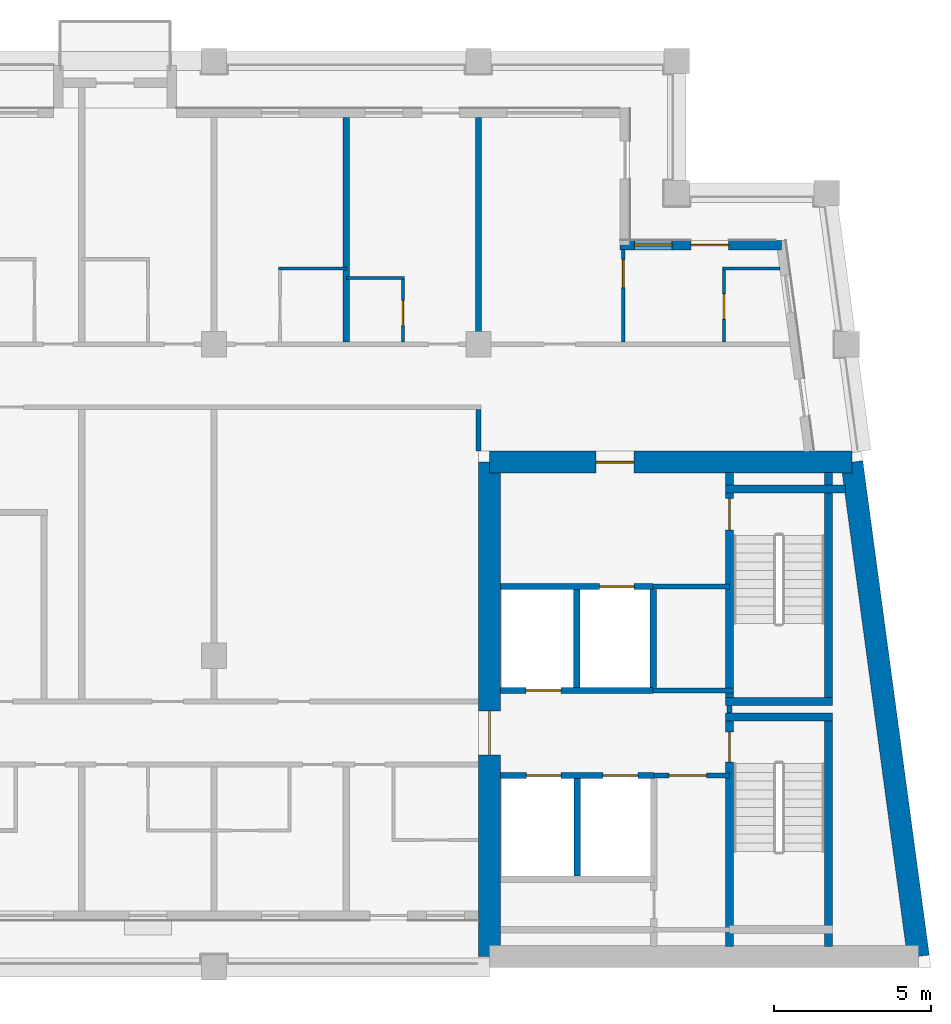
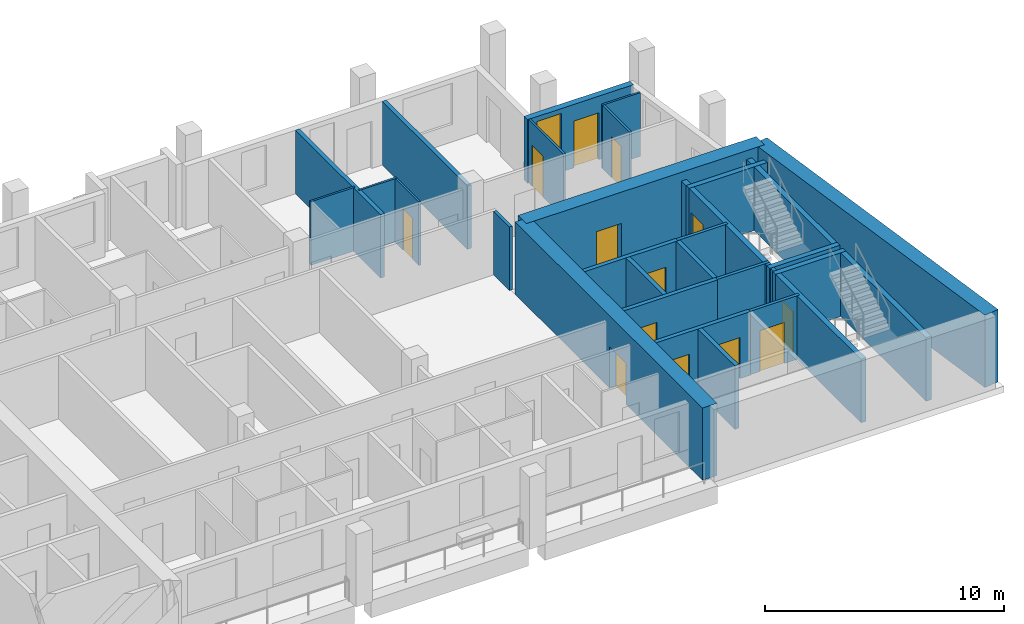
# One storey, part 5 of 10: 30 walls, 13 doors, 1 window, 14 openings.
"""IFC4 building model written with IfcOpenShell, lengths in metres."""

from ifc_helpers import new_model, si_unit, direction, frame, frame_2d, origin, place, context, subcontext, project, spatial, rectangle, extrude, material, layer, layer_set, type_object, element, fill, save


model = new_model("IFC4")

# Units and contexts
model_context = context("Model", 3, precision=1e-05, world=origin(), true_north=direction((0.0, 1.0)))
body_context = subcontext(model_context, "Body", "Model", "MODEL_VIEW")
ifc_project = project(units=[si_unit("LENGTHUNIT", "METRE"), si_unit("AREAUNIT", "SQUARE_METRE"), si_unit("VOLUMEUNIT", "CUBIC_METRE"), si_unit("PLANEANGLEUNIT", "RADIAN"), si_unit("MASSUNIT", "GRAM", prefix="KILO")], contexts=[model_context])

# Site, building, storey
site_placement = place(None, origin())
site = spatial("IfcSite", under=ifc_project, at=site_placement, CompositionType="ELEMENT")
building_placement = place(site_placement, origin())
building = spatial("IfcBuilding", under=site, at=building_placement, Name="Candeia Pilgrim Tower and Theatre", CompositionType="ELEMENT")
storey_placement = place(building_placement, frame((0.0, 0.0, 299.699951171875)))
storey = spatial("IfcBuildingStorey", under=building, at=storey_placement, Name="L73", CompositionType="ELEMENT", Elevation=299.699951171875)

# Wall, opening, door
ifc_material_1 = material(Name="Concrete C40/50", Category="concrete")
ifc_layer_1 = layer(ifc_material_1, 0.699951171875)
ifc_layer_set_1 = layer_set([ifc_layer_1], Name="Core wall 700 C40/50")
wall_type_1 = type_object("IfcWallType", Name="Core wall 700 C40/50", PredefinedType="SHEAR", material=ifc_layer_set_1)
wall_1_placement = place(storey_placement, frame((126.35009765625, 132.050048828125, 0.0), z_axis=(0.0, 0.0, 1.0), x_axis=(1.0, 0.0, 0.0)))
wall_1 = element("IfcWall", 1, at=wall_1_placement, inside=storey, type_object=wall_type_1, Name="Core wall E1", PredefinedType="SHEAR", context=body_context, shape_type="SweptSolid", body=[
    extrude(rectangle(XDim=11.51318359375, YDim=0.699951171875, at=frame_2d((5.756591796875, 0.0))), origin(), (0.0, 0.0, 1.0), 3.699951171875),
])
opening_1_placement = place(wall_1_placement, frame((3.386474609375, 0.0, 0.0)))
opening_1 = element("IfcOpeningElement", 2, at=opening_1_placement, cuts=wall_1, Name="Opening L73-D046", PredefinedType="OPENING", context=body_context, shape_type="SweptSolid", body=[
    extrude(rectangle(XDim=1.199951171875, YDim=2.10009765625, at=frame_2d((0.60009765625, 1.050048828125))), frame((0.0, 0.35986328125, 0.0), z_axis=(0.0, -1.0, 0.0), x_axis=(1.0, 0.0, 0.0)), (0.0, 0.0, 1.0), 0.719970703125),
])
ifc_material_2 = material(Name="Steel fire door set", Category="steel")
door_type_1 = type_object("IfcDoorType", Name="D-1200-FD60", OperationType="NOTDEFINED", PredefinedType="DOOR", material=ifc_material_2)
door_1_placement = place(opening_1_placement, origin())
door_1 = element("IfcDoor", 3, at=door_1_placement, inside=storey, type_object=door_type_1, Name="Door L73-D046", OperationType="SINGLE_SWING_LEFT", OverallHeight=2.10009765625, OverallWidth=1.199951171875, PredefinedType="DOOR", context=body_context, shape_type="SweptSolid", body=[
    extrude(rectangle(XDim=1.199951171875, YDim=2.10009765625, at=frame_2d((0.60009765625, 1.050048828125))), frame((0.0, 0.02490234375, 0.0), z_axis=(0.0, -1.0, 0.0), x_axis=(1.0, 0.0, 0.0)), (0.0, 0.0, 1.0), 0.050048828125),
])
fill(opening_1, door_1)

# Wall
wall_2_placement = place(storey_placement, frame((137.86328125, 132.050048828125, 0.0), z_axis=(0.0, 0.0, 1.0), x_axis=(0.133401241494, -0.991062111458, 0.0)))
element("IfcWall", 4, at=wall_2_placement, inside=storey, type_object=wall_type_1, Name="Core wall E2", PredefinedType="SHEAR", context=body_context, shape_type="SweptSolid", body=[
    extrude(rectangle(XDim=15.841552734375, YDim=0.699951171875, at=frame_2d((7.9208984375, 0.0))), origin(), (0.0, 0.0, 1.0), 3.699951171875),
])

# Wall, opening, door
wall_3_placement = place(storey_placement, frame((126.35009765625, 116.35009765625, 0.0), z_axis=(0.0, 0.0, 1.0), x_axis=(0.0, 1.0, 0.0)))
wall_3 = element("IfcWall", 5, at=wall_3_placement, inside=storey, type_object=wall_type_1, Name="Core wall E4", PredefinedType="SHEAR", context=body_context, shape_type="SweptSolid", body=[
    extrude(rectangle(XDim=15.699951171875, YDim=0.699951171875, at=frame_2d((7.85009765625, 0.0))), origin(), (0.0, 0.0, 1.0), 3.699951171875),
])
opening_2_placement = place(wall_3_placement, frame((6.39990234375, 0.0, 0.0)))
opening_2 = element("IfcOpeningElement", 6, at=opening_2_placement, cuts=wall_3, Name="Opening L73-D047", PredefinedType="OPENING", context=body_context, shape_type="SweptSolid", body=[
    extrude(rectangle(XDim=1.39990234375, YDim=2.10009765625, at=frame_2d((0.699951171875, 1.050048828125))), frame((0.0, 0.35986328125, 0.0), z_axis=(0.0, -1.0, 0.0), x_axis=(1.0, 0.0, 0.0)), (0.0, 0.0, 1.0), 0.719970703125),
])
door_type_2 = type_object("IfcDoorType", Name="D-1400-FD60", OperationType="NOTDEFINED", PredefinedType="DOOR", material=ifc_material_2)
door_2_placement = place(opening_2_placement, origin())
door_2 = element("IfcDoor", 7, at=door_2_placement, inside=storey, type_object=door_type_2, Name="Door L73-D047", OperationType="SINGLE_SWING_RIGHT", OverallHeight=2.10009765625, OverallWidth=1.39990234375, PredefinedType="DOOR", context=body_context, shape_type="SweptSolid", body=[
    extrude(rectangle(XDim=1.39990234375, YDim=2.10009765625, at=frame_2d((0.699951171875, 1.050048828125))), frame((0.0, 0.02490234375, 0.0), z_axis=(0.0, -1.0, 0.0), x_axis=(1.0, 0.0, 0.0)), (0.0, 0.0, 1.0), 0.050048828125),
])
fill(opening_2, door_2)

# Wall, openings, door, window
ifc_material_3 = material(Name="Ceramic block masonry", Category="masonry")
ifc_layer_2 = layer(ifc_material_3, 0.300048828125)
ifc_layer_set_2 = layer_set([ifc_layer_2], Name="EW1 glazing-line wall 300")
wall_type_2 = type_object("IfcWallType", Name="EW1 glazing-line wall 300", PredefinedType="SOLIDWALL", material=ifc_layer_set_2)
wall_4_placement = place(storey_placement, frame((135.62255859375, 138.949951171875, 0.0), z_axis=(0.0, 0.0, 1.0), x_axis=(-1.0, 0.0, 0.0)))
wall_4 = element("IfcWall", 8, at=wall_4_placement, inside=storey, type_object=wall_type_2, Name="External wall L73-3.0", PredefinedType="SOLIDWALL", context=body_context, shape_type="SweptSolid", body=[
    extrude(rectangle(XDim=5.12255859375, YDim=0.300048828125, at=frame_2d((2.561279296875, 0.0))), origin(), (0.0, 0.0, 1.0), 3.25),
])
opening_3_placement = place(wall_4_placement, frame((1.672607421875, 0.0, 0.0)))
opening_3 = element("IfcOpeningElement", 9, at=opening_3_placement, cuts=wall_4, Name="Opening L73-ED678", PredefinedType="OPENING", context=body_context, shape_type="SweptSolid", body=[
    extrude(rectangle(XDim=1.199951171875, YDim=2.39990234375, at=frame_2d((0.60009765625, 1.199951171875))), frame((0.0, 0.16015625, 0.0), z_axis=(0.0, -1.0, 0.0), x_axis=(1.0, 0.0, 0.0)), (0.0, 0.0, 1.0), 0.320068359375),
])
opening_4_placement = place(wall_4_placement, frame((3.47265625, 0.0, 0.89990234375)))
opening_4 = element("IfcOpeningElement", 10, at=opening_4_placement, cuts=wall_4, Name="Opening W-B", PredefinedType="OPENING", context=body_context, shape_type="SweptSolid", body=[
    extrude(rectangle(XDim=1.199951171875, YDim=2.10009765625, at=frame_2d((0.60009765625, 1.050048828125))), frame((0.0, 0.16015625, 0.0), z_axis=(0.0, -1.0, 0.0), x_axis=(1.0, 0.0, 0.0)), (0.0, 0.0, 1.0), 0.320068359375),
])
ifc_material_4 = material(Name="Aluminium framed glazed door", Category="aluminium")
door_type_3 = type_object("IfcDoorType", Name="Loggia door 1200x2400", OperationType="DOUBLE_DOOR_SINGLE_SWING", PredefinedType="DOOR", material=ifc_material_4)
door_3_placement = place(opening_3_placement, origin())
door_3 = element("IfcDoor", 11, at=door_3_placement, inside=storey, type_object=door_type_3, Name="Loggia door L73-ED678", OperationType="DOUBLE_DOOR_SINGLE_SWING", OverallHeight=2.39990234375, OverallWidth=1.199951171875, PredefinedType="DOOR", context=body_context, shape_type="SweptSolid", body=[
    extrude(rectangle(XDim=1.199951171875, YDim=2.39990234375, at=frame_2d((0.60009765625, 1.199951171875))), frame((0.0, 0.02490234375, 0.0), z_axis=(0.0, -1.0, 0.0), x_axis=(1.0, 0.0, 0.0)), (0.0, 0.0, 1.0), 0.050048828125),
])
fill(opening_3, door_3)
ifc_material_5 = material(Name="Aluminium framed double glazing", Category="aluminium")
window_type = type_object("IfcWindowType", Name="W-B window 1200x2100", PartitioningType="SINGLE_PANEL", PredefinedType="WINDOW", material=ifc_material_5)
window_placement = place(opening_4_placement, origin())
window = element("IfcWindow", 12, at=window_placement, inside=storey, type_object=window_type, Name="Window W-B L73", OverallHeight=2.10009765625, OverallWidth=1.199951171875, PartitioningType="SINGLE_PANEL", PredefinedType="WINDOW", context=body_context, shape_type="SweptSolid", body=[
    extrude(rectangle(XDim=1.199951171875, YDim=2.10009765625, at=frame_2d((0.60009765625, 1.050048828125))), frame((0.0, 0.030029296875, 0.0), z_axis=(0.0, -1.0, 0.0), x_axis=(1.0, 0.0, 0.0)), (0.0, 0.0, 1.0), 0.06005859375),
])
fill(opening_4, window)

# Walls
ifc_material_6 = material(Name="Gypsum board partition on steel studs", Category="steel")
ifc_layer_3 = layer(ifc_material_6, 0.10009765625)
ifc_layer_set_3 = layer_set([ifc_layer_3], Name="PW-100 room partition")
wall_type_3 = type_object("IfcWallType", Name="PW-100 room partition", PredefinedType="PARTITIONING", material=ifc_layer_set_3)
wall_5_placement = place(storey_placement, frame((121.800048828125, 137.89990234375, 0.0), z_axis=(0.0, 0.0, 1.0), x_axis=(1.0, 0.0, 0.0)))
element("IfcWall", 13, at=wall_5_placement, inside=storey, type_object=wall_type_3, Name="Room partition L73-033", PredefinedType="PARTITIONING", context=body_context, shape_type="SweptSolid", body=[
    extrude(rectangle(XDim=1.849853515625, YDim=0.10009765625, at=frame_2d((0.9248046875, 0.0))), origin(), (0.0, 0.0, 1.0), 3.25),
])
wall_6_placement = place(storey_placement, frame((119.64990234375, 138.199951171875, 0.0), z_axis=(0.0, 0.0, 1.0), x_axis=(1.0, 0.0, 0.0)))
element("IfcWall", 14, at=wall_6_placement, inside=storey, type_object=wall_type_3, Name="Room partition L73-036", PredefinedType="PARTITIONING", context=body_context, shape_type="SweptSolid", body=[
    extrude(rectangle(XDim=2.150146484375, YDim=0.10009765625, at=frame_2d((1.0751953125, 0.0))), origin(), (0.0, 0.0, 1.0), 3.25),
])
wall_7_placement = place(storey_placement, frame((133.75, 138.199951171875, 0.0), z_axis=(0.0, 0.0, 1.0), x_axis=(1.0, 0.0, 0.0)))
element("IfcWall", 15, at=wall_7_placement, inside=storey, type_object=wall_type_3, Name="Room partition L73-037", PredefinedType="PARTITIONING", context=body_context, shape_type="SweptSolid", body=[
    extrude(rectangle(XDim=1.832275390625, YDim=0.10009765625, at=frame_2d((0.916015625, 0.0))), origin(), (0.0, 0.0, 1.0), 3.25),
])

# Wall, opening, door
wall_8_placement = place(storey_placement, frame((123.60009765625, 135.875, 0.0), z_axis=(0.0, 0.0, 1.0), x_axis=(0.0, 1.0, 0.0)))
wall_8 = element("IfcWall", 16, at=wall_8_placement, inside=storey, type_object=wall_type_3, Name="Room partition L73-078", PredefinedType="PARTITIONING", context=body_context, shape_type="SweptSolid", body=[
    extrude(rectangle(XDim=1.97509765625, YDim=0.10009765625, at=frame_2d((0.987548828125, 0.0))), origin(), (0.0, 0.0, 1.0), 3.25),
])
opening_5_placement = place(wall_8_placement, frame((0.514892578125, 0.0, 0.0)))
opening_5 = element("IfcOpeningElement", 17, at=opening_5_placement, cuts=wall_8, Name="Opening L73-D034", PredefinedType="OPENING", context=body_context, shape_type="SweptSolid", body=[
    extrude(rectangle(XDim=0.800048828125, YDim=2.10009765625, at=frame_2d((0.39990234375, 1.050048828125))), frame((0.0, 0.06005859375, 0.0), z_axis=(0.0, -1.0, 0.0), x_axis=(1.0, 0.0, 0.0)), (0.0, 0.0, 1.0), 0.1201171875),
])
ifc_material_7 = material(Name="Timber door leaf", Category="wood")
door_type_4 = type_object("IfcDoorType", Name="D-800", OperationType="NOTDEFINED", PredefinedType="DOOR", material=ifc_material_7)
door_4_placement = place(opening_5_placement, origin())
door_4 = element("IfcDoor", 18, at=door_4_placement, inside=storey, type_object=door_type_4, Name="Door L73-D034", OperationType="SINGLE_SWING_LEFT", OverallHeight=2.10009765625, OverallWidth=0.800048828125, PredefinedType="DOOR", context=body_context, shape_type="SweptSolid", body=[
    extrude(rectangle(XDim=0.800048828125, YDim=2.10009765625, at=frame_2d((0.39990234375, 1.050048828125))), frame((0.0, 0.02490234375, 0.0), z_axis=(0.0, -1.0, 0.0), x_axis=(1.0, 0.0, 0.0)), (0.0, 0.0, 1.0), 0.050048828125),
])
fill(opening_5, door_4)

wall_9_placement = place(storey_placement, frame((130.60009765625, 135.875, 0.0), z_axis=(0.0, 0.0, 1.0), x_axis=(0.0, 1.0, 0.0)))
wall_9 = element("IfcWall", 19, at=wall_9_placement, inside=storey, type_object=wall_type_3, Name="Room partition L73-083", PredefinedType="PARTITIONING", context=body_context, shape_type="SweptSolid", body=[
    extrude(rectangle(XDim=2.93505859375, YDim=0.10009765625, at=frame_2d((1.467529296875, 0.0))), origin(), (0.0, 0.0, 1.0), 3.25),
])
opening_6_placement = place(wall_9_placement, frame((1.719970703125, 0.0, 0.0)))
opening_6 = element("IfcOpeningElement", 20, at=opening_6_placement, cuts=wall_9, Name="Opening L73-D036", PredefinedType="OPENING", context=body_context, shape_type="SweptSolid", body=[
    extrude(rectangle(XDim=0.89990234375, YDim=2.10009765625, at=frame_2d((0.449951171875, 1.050048828125))), frame((0.0, 0.06005859375, 0.0), z_axis=(0.0, -1.0, 0.0), x_axis=(1.0, 0.0, 0.0)), (0.0, 0.0, 1.0), 0.1201171875),
])
door_type_5 = type_object("IfcDoorType", Name="D-900", OperationType="NOTDEFINED", PredefinedType="DOOR", material=ifc_material_7)
door_5_placement = place(opening_6_placement, origin())
door_5 = element("IfcDoor", 21, at=door_5_placement, inside=storey, type_object=door_type_5, Name="Door L73-D036", OperationType="SINGLE_SWING_LEFT", OverallHeight=2.10009765625, OverallWidth=0.89990234375, PredefinedType="DOOR", context=body_context, shape_type="SweptSolid", body=[
    extrude(rectangle(XDim=0.89990234375, YDim=2.10009765625, at=frame_2d((0.449951171875, 1.050048828125))), frame((0.0, 0.02490234375, 0.0), z_axis=(0.0, -1.0, 0.0), x_axis=(1.0, 0.0, 0.0)), (0.0, 0.0, 1.0), 0.050048828125),
])
fill(opening_6, door_5)

wall_10_placement = place(storey_placement, frame((133.800048828125, 135.875, 0.0), z_axis=(0.0, 0.0, 1.0), x_axis=(0.0, 1.0, 0.0)))
wall_10 = element("IfcWall", 22, at=wall_10_placement, inside=storey, type_object=wall_type_3, Name="Room partition L73-086", PredefinedType="PARTITIONING", context=body_context, shape_type="SweptSolid", body=[
    extrude(rectangle(XDim=2.27490234375, YDim=0.10009765625, at=frame_2d((1.137451171875, 0.0))), origin(), (0.0, 0.0, 1.0), 3.25),
])
opening_7_placement = place(wall_10_placement, frame((0.72509765625, 0.0, 0.0)))
opening_7 = element("IfcOpeningElement", 23, at=opening_7_placement, cuts=wall_10, Name="Opening L73-D037", PredefinedType="OPENING", context=body_context, shape_type="SweptSolid", body=[
    extrude(rectangle(XDim=0.800048828125, YDim=2.10009765625, at=frame_2d((0.39990234375, 1.050048828125))), frame((0.0, 0.06005859375, 0.0), z_axis=(0.0, -1.0, 0.0), x_axis=(1.0, 0.0, 0.0)), (0.0, 0.0, 1.0), 0.1201171875),
])
door_6_placement = place(opening_7_placement, origin())
door_6 = element("IfcDoor", 24, at=door_6_placement, inside=storey, type_object=door_type_4, Name="Door L73-D037", OperationType="SINGLE_SWING_RIGHT", OverallHeight=2.10009765625, OverallWidth=0.800048828125, PredefinedType="DOOR", context=body_context, shape_type="SweptSolid", body=[
    extrude(rectangle(XDim=0.800048828125, YDim=2.10009765625, at=frame_2d((0.39990234375, 1.050048828125))), frame((0.0, 0.02490234375, 0.0), z_axis=(0.0, -1.0, 0.0), x_axis=(1.0, 0.0, 0.0)), (0.0, 0.0, 1.0), 0.050048828125),
])
fill(opening_7, door_6)

ifc_layer_4 = layer(ifc_material_6, 0.14990234375)
ifc_layer_set_4 = layer_set([ifc_layer_4], Name="PW-150 lobby wall")
wall_type_4 = type_object("IfcWallType", Name="PW-150 lobby wall", PredefinedType="PARTITIONING", material=ifc_layer_set_4)
wall_11_placement = place(storey_placement, frame((131.572998046875, 122.10009765625, 0.0), z_axis=(0.0, 0.0, 1.0), x_axis=(1.0, 0.0, 0.0)))
wall_11 = element("IfcWall", 25, at=wall_11_placement, inside=storey, type_object=wall_type_4, Name="Lobby wall L73-015", PredefinedType="PARTITIONING", context=body_context, shape_type="SweptSolid", body=[
    extrude(rectangle(XDim=2.39990234375, YDim=0.14990234375, at=frame_2d((1.199951171875, 0.0))), origin(), (0.0, 0.0, 1.0), 3.25),
])
opening_8_placement = place(wall_11_placement, frame((0.47509765625, 0.0, 0.0)))
opening_8 = element("IfcOpeningElement", 26, at=opening_8_placement, cuts=wall_11, Name="Opening L73-D005", PredefinedType="OPENING", context=body_context, shape_type="SweptSolid", body=[
    extrude(rectangle(XDim=1.199951171875, YDim=2.10009765625, at=frame_2d((0.60009765625, 1.050048828125))), frame((0.0, 0.0849609375, 0.0), z_axis=(0.0, -1.0, 0.0), x_axis=(1.0, 0.0, 0.0)), (0.0, 0.0, 1.0), 0.169921875),
])
door_7_placement = place(opening_8_placement, origin())
door_7 = element("IfcDoor", 27, at=door_7_placement, inside=storey, type_object=door_type_1, Name="Door L73-D005", OperationType="SINGLE_SWING_RIGHT", OverallHeight=2.10009765625, OverallWidth=1.199951171875, PredefinedType="DOOR", context=body_context, shape_type="SweptSolid", body=[
    extrude(rectangle(XDim=1.199951171875, YDim=2.10009765625, at=frame_2d((0.60009765625, 1.050048828125))), frame((0.0, 0.02490234375, 0.0), z_axis=(0.0, -1.0, 0.0), x_axis=(1.0, 0.0, 0.0)), (0.0, 0.0, 1.0), 0.050048828125),
])
fill(opening_8, door_7)

# Walls
wall_12_placement = place(storey_placement, frame((131.548583984375, 124.800048828125, 0.0), z_axis=(0.0, 0.0, 1.0), x_axis=(1.0, 0.0, 0.0)))
element("IfcWall", 28, at=wall_12_placement, inside=storey, type_object=wall_type_4, Name="Lobby wall L73-024", PredefinedType="PARTITIONING", context=body_context, shape_type="SweptSolid", body=[
    extrude(rectangle(XDim=2.54931640625, YDim=0.14990234375, at=frame_2d((1.274658203125, 0.0))), origin(), (0.0, 0.0, 1.0), 3.25),
])
wall_13_placement = place(storey_placement, frame((131.548583984375, 128.10009765625, 0.0), z_axis=(0.0, 0.0, 1.0), x_axis=(1.0, 0.0, 0.0)))
element("IfcWall", 29, at=wall_13_placement, inside=storey, type_object=wall_type_4, Name="Lobby wall L73-027", PredefinedType="PARTITIONING", context=body_context, shape_type="SweptSolid", body=[
    extrude(rectangle(XDim=2.42431640625, YDim=0.14990234375, at=frame_2d((1.212158203125, 0.0))), origin(), (0.0, 0.0, 1.0), 3.25),
])
wall_14_placement = place(storey_placement, frame((133.972900390625, 124.074951171875, 0.0), z_axis=(0.0, 0.0, 1.0), x_axis=(0.0, 1.0, 0.0)))
element("IfcWall", 30, at=wall_14_placement, inside=storey, type_object=wall_type_4, Name="Lobby wall L73-087", PredefinedType="PARTITIONING", context=body_context, shape_type="SweptSolid", body=[
    extrude(rectangle(XDim=0.25, YDim=0.14990234375, at=frame_2d((0.125, 0.0))), origin(), (0.0, 0.0, 1.0), 3.25),
])
ifc_layer_5 = layer(ifc_material_6, 0.14990234375)
ifc_layer_set_5 = layer_set([ifc_layer_5], Name="PW-150 unit wall")
wall_type_5 = type_object("IfcWallType", Name="PW-150 unit wall", PredefinedType="PARTITIONING", material=ifc_layer_set_5)
wall_15_placement = place(storey_placement, frame((126.0, 132.39990234375, 0.0), z_axis=(0.0, 0.0, 1.0), x_axis=(0.0, 1.0, 0.0)))
element("IfcWall", 31, at=wall_15_placement, inside=storey, type_object=wall_type_5, Name="Unit wall L73-080", PredefinedType="PARTITIONING", context=body_context, shape_type="SweptSolid", body=[
    extrude(rectangle(XDim=1.3251953125, YDim=0.14990234375, at=frame_2d((0.66259765625, 0.0))), origin(), (0.0, 0.0, 1.0), 3.25),
])
ifc_layer_6 = layer(ifc_material_6, 0.199951171875)
ifc_layer_set_6 = layer_set([ifc_layer_6], Name="PW-200 party wall")
wall_type_6 = type_object("IfcWallType", Name="PW-200 party wall", PredefinedType="PARTITIONING", material=ifc_layer_set_6)
for number, where, z_axis, x_axis, name in (
    (32, (121.800048828125, 135.875, 0.0), (0.0, 0.0, 1.0), (0.0, 1.0, 0.0), "Party wall L73-076"),
    (33, (126.0, 135.875, 0.0), (0.0, 0.0, 1.0), (0.0, 1.0, 0.0), "Party wall L73-079"),
):
    element("IfcWall", number, at=place(storey_placement, frame(where, z_axis=z_axis, x_axis=x_axis)), inside=storey, type_object=wall_type_6, Name=name, PredefinedType="PARTITIONING", context=body_context, shape_type="SweptSolid", body=[
        extrude(rectangle(XDim=7.135009765625, YDim=0.199951171875, at=frame_2d((3.5673828125, 0.0))), origin(), (0.0, 0.0, 1.0), 3.25),
    ])

# Wall, openings, doors
ifc_layer_7 = layer(ifc_material_1, 0.199951171875)
ifc_layer_set_7 = layer_set([ifc_layer_7], Name="SW-200 shaft wall")
wall_type_7 = type_object("IfcWallType", Name="SW-200 shaft wall", PredefinedType="PARTITIONING", material=ifc_layer_set_7)
wall_16_placement = place(storey_placement, frame((126.699951171875, 122.10009765625, 0.0), z_axis=(0.0, 0.0, 1.0), x_axis=(1.0, 0.0, 0.0)))
wall_16 = element("IfcWall", 34, at=wall_16_placement, inside=storey, type_object=wall_type_7, Name="Shaft wall L73-013", PredefinedType="PARTITIONING", context=body_context, shape_type="SweptSolid", body=[
    extrude(rectangle(XDim=4.873046875, YDim=0.199951171875, at=frame_2d((2.4365234375, 0.0))), origin(), (0.0, 0.0, 1.0), 3.25),
])
opening_9_placement = place(wall_16_placement, frame((3.263916015625, 0.0, 0.0)))
opening_9 = element("IfcOpeningElement", 35, at=opening_9_placement, cuts=wall_16, Name="Opening L73-LD05", PredefinedType="OPENING", context=body_context, shape_type="SweptSolid", body=[
    extrude(rectangle(XDim=1.10009765625, YDim=2.10009765625, at=frame_2d((0.550048828125, 1.050048828125))), frame((0.0, 0.10986328125, 0.0), z_axis=(0.0, -1.0, 0.0), x_axis=(1.0, 0.0, 0.0)), (0.0, 0.0, 1.0), 0.219970703125),
])
opening_10_placement = place(wall_16_placement, frame((0.826904296875, 0.0, 0.0)))
opening_10 = element("IfcOpeningElement", 36, at=opening_10_placement, cuts=wall_16, Name="Opening L73-LD06", PredefinedType="OPENING", context=body_context, shape_type="SweptSolid", body=[
    extrude(rectangle(XDim=1.10009765625, YDim=2.10009765625, at=frame_2d((0.550048828125, 1.050048828125))), frame((0.0, 0.10986328125, 0.0), z_axis=(0.0, -1.0, 0.0), x_axis=(1.0, 0.0, 0.0)), (0.0, 0.0, 1.0), 0.219970703125),
])
ifc_material_8 = material(Name="Glazed aluminium landing door", Category="aluminium")
door_type_6 = type_object("IfcDoorType", Name="LD-1100-EI120", OperationType="SLIDING_TO_LEFT", PredefinedType="DOOR", material=ifc_material_8)
door_8_placement = place(opening_9_placement, origin())
door_8 = element("IfcDoor", 37, at=door_8_placement, inside=storey, type_object=door_type_6, Name="Landing door 05 L73", OperationType="SLIDING_TO_LEFT", OverallHeight=2.10009765625, OverallWidth=1.10009765625, PredefinedType="DOOR", context=body_context, shape_type="SweptSolid", body=[
    extrude(rectangle(XDim=1.10009765625, YDim=2.10009765625, at=frame_2d((0.550048828125, 1.050048828125))), frame((0.0, 0.02490234375, 0.0), z_axis=(0.0, -1.0, 0.0), x_axis=(1.0, 0.0, 0.0)), (0.0, 0.0, 1.0), 0.050048828125),
])
fill(opening_9, door_8)
door_9_placement = place(opening_10_placement, origin())
door_9 = element("IfcDoor", 38, at=door_9_placement, inside=storey, type_object=door_type_6, Name="Landing door 06 L73", OperationType="SLIDING_TO_LEFT", OverallHeight=2.10009765625, OverallWidth=1.10009765625, PredefinedType="DOOR", context=body_context, shape_type="SweptSolid", body=[
    extrude(rectangle(XDim=1.10009765625, YDim=2.10009765625, at=frame_2d((0.550048828125, 1.050048828125))), frame((0.0, 0.02490234375, 0.0), z_axis=(0.0, -1.0, 0.0), x_axis=(1.0, 0.0, 0.0)), (0.0, 0.0, 1.0), 0.050048828125),
])
fill(opening_10, door_9)

# Wall, opening, door
wall_17_placement = place(storey_placement, frame((126.699951171875, 124.800048828125, 0.0), z_axis=(0.0, 0.0, 1.0), x_axis=(1.0, 0.0, 0.0)))
wall_17 = element("IfcWall", 39, at=wall_17_placement, inside=storey, type_object=wall_type_7, Name="Shaft wall L73-023", PredefinedType="PARTITIONING", context=body_context, shape_type="SweptSolid", body=[
    extrude(rectangle(XDim=4.8486328125, YDim=0.199951171875, at=frame_2d((2.42431640625, 0.0))), origin(), (0.0, 0.0, 1.0), 3.25),
])
opening_11_placement = place(wall_17_placement, frame((0.818115234375, 0.0, 0.0)))
opening_11 = element("IfcOpeningElement", 40, at=opening_11_placement, cuts=wall_17, Name="Opening L73-LD08", PredefinedType="OPENING", context=body_context, shape_type="SweptSolid", body=[
    extrude(rectangle(XDim=1.10009765625, YDim=2.10009765625, at=frame_2d((0.550048828125, 1.050048828125))), frame((0.0, 0.10986328125, 0.0), z_axis=(0.0, -1.0, 0.0), x_axis=(1.0, 0.0, 0.0)), (0.0, 0.0, 1.0), 0.219970703125),
])
door_10_placement = place(opening_11_placement, origin())
door_10 = element("IfcDoor", 41, at=door_10_placement, inside=storey, type_object=door_type_6, Name="Landing door 08 L73", OperationType="SLIDING_TO_LEFT", OverallHeight=2.10009765625, OverallWidth=1.10009765625, PredefinedType="DOOR", context=body_context, shape_type="SweptSolid", body=[
    extrude(rectangle(XDim=1.10009765625, YDim=2.10009765625, at=frame_2d((0.550048828125, 1.050048828125))), frame((0.0, 0.02490234375, 0.0), z_axis=(0.0, -1.0, 0.0), x_axis=(1.0, 0.0, 0.0)), (0.0, 0.0, 1.0), 0.050048828125),
])
fill(opening_11, door_10)

wall_18_placement = place(storey_placement, frame((126.699951171875, 128.10009765625, 0.0), z_axis=(0.0, 0.0, 1.0), x_axis=(1.0, 0.0, 0.0)))
wall_18 = element("IfcWall", 42, at=wall_18_placement, inside=storey, type_object=wall_type_7, Name="Shaft wall L73-026", PredefinedType="PARTITIONING", context=body_context, shape_type="SweptSolid", body=[
    extrude(rectangle(XDim=4.8486328125, YDim=0.199951171875, at=frame_2d((2.42431640625, 0.0))), origin(), (0.0, 0.0, 1.0), 3.25),
])
opening_12_placement = place(wall_18_placement, frame((3.14892578125, 0.0, 0.0)))
opening_12 = element("IfcOpeningElement", 43, at=opening_12_placement, cuts=wall_18, Name="Opening L73-LD07", PredefinedType="OPENING", context=body_context, shape_type="SweptSolid", body=[
    extrude(rectangle(XDim=1.10009765625, YDim=2.10009765625, at=frame_2d((0.550048828125, 1.050048828125))), frame((0.0, 0.10986328125, 0.0), z_axis=(0.0, -1.0, 0.0), x_axis=(1.0, 0.0, 0.0)), (0.0, 0.0, 1.0), 0.219970703125),
])
door_11_placement = place(opening_12_placement, origin())
door_11 = element("IfcDoor", 44, at=door_11_placement, inside=storey, type_object=door_type_6, Name="Landing door 07 L73", OperationType="SLIDING_TO_LEFT", OverallHeight=2.10009765625, OverallWidth=1.10009765625, PredefinedType="DOOR", context=body_context, shape_type="SweptSolid", body=[
    extrude(rectangle(XDim=1.10009765625, YDim=2.10009765625, at=frame_2d((0.550048828125, 1.050048828125))), frame((0.0, 0.02490234375, 0.0), z_axis=(0.0, -1.0, 0.0), x_axis=(1.0, 0.0, 0.0)), (0.0, 0.0, 1.0), 0.050048828125),
])
fill(opening_12, door_11)

# Walls
for number, where, z_axis, x_axis, name in (
    (45, (129.124267578125, 124.89990234375, 0.0), (0.0, 0.0, 1.0), (0.0, 1.0, 0.0), "Shaft wall L73-081"),
    (46, (129.136474609375, 118.89990234375, 0.0), (0.0, 0.0, 1.0), (0.0, 1.0, 0.0), "Shaft wall L73-082"),
    (47, (131.548583984375, 124.89990234375, 0.0), (0.0, 0.0, 1.0), (0.0, 1.0, 0.0), "Shaft wall L73-084"),
):
    element("IfcWall", number, at=place(storey_placement, frame(where, z_axis=z_axis, x_axis=x_axis)), inside=storey, type_object=wall_type_7, Name=name, PredefinedType="PARTITIONING", context=body_context, shape_type="SweptSolid", body=[
        extrude(rectangle(XDim=3.10009765625, YDim=0.199951171875, at=frame_2d((1.550048828125, 0.0))), origin(), (0.0, 0.0, 1.0), 3.25),
    ])
ifc_layer_8 = layer(ifc_material_1, 0.25)
ifc_layer_set_8 = layer_set([ifc_layer_8], Name="SW-250 stair wall")
wall_type_8 = type_object("IfcWallType", Name="SW-250 stair wall", PredefinedType="PARTITIONING", material=ifc_layer_set_8)
for number, where, z_axis, x_axis, name in (
    (48, (133.847900390625, 123.949951171875, 0.0), (0.0, 0.0, 1.0), (1.0, 0.0, 0.0), "Stair wall L73-018"),
    (49, (133.847900390625, 124.449951171875, 0.0), (0.0, 0.0, 1.0), (1.0, 0.0, 0.0), "Stair wall L73-020"),
):
    element("IfcWall", number, at=place(storey_placement, frame(where, z_axis=z_axis, x_axis=x_axis)), inside=storey, type_object=wall_type_8, Name=name, PredefinedType="PARTITIONING", context=body_context, shape_type="SweptSolid", body=[
        extrude(rectangle(XDim=3.400146484375, YDim=0.25, at=frame_2d((1.7001953125, 0.0))), origin(), (0.0, 0.0, 1.0), 3.25),
    ])
wall_19_placement = place(storey_placement, frame((133.847900390625, 131.199951171875, 0.0), z_axis=(0.0, 0.0, 1.0), x_axis=(1.0, 0.0, 0.0)))
element("IfcWall", 50, at=wall_19_placement, inside=storey, type_object=wall_type_8, Name="Stair wall L73-030", PredefinedType="PARTITIONING", context=body_context, shape_type="SweptSolid", body=[
    extrude(rectangle(XDim=3.806640625, YDim=0.25, at=frame_2d((1.9033203125, 0.0))), origin(), (0.0, 0.0, 1.0), 3.25),
])

# Wall, opening, door
wall_20_placement = place(storey_placement, frame((133.972900390625, 116.669921875, 0.0), z_axis=(0.0, 0.0, 1.0), x_axis=(0.0, 1.0, 0.0)))
wall_20 = element("IfcWall", 51, at=wall_20_placement, inside=storey, type_object=wall_type_8, Name="Stair wall L73-088", PredefinedType="PARTITIONING", context=body_context, shape_type="SweptSolid", body=[
    extrude(rectangle(XDim=7.155029296875, YDim=0.25, at=frame_2d((3.57763671875, 0.0))), origin(), (0.0, 0.0, 1.0), 3.25),
])
opening_13_placement = place(wall_20_placement, frame((5.85498046875, 0.0, 0.0)))
opening_13 = element("IfcOpeningElement", 52, at=opening_13_placement, cuts=wall_20, Name="Opening L73-D006", PredefinedType="OPENING", context=body_context, shape_type="SweptSolid", body=[
    extrude(rectangle(XDim=0.949951171875, YDim=2.10009765625, at=frame_2d((0.47509765625, 1.050048828125))), frame((0.0, 0.135009765625, 0.0), z_axis=(0.0, -1.0, 0.0), x_axis=(1.0, 0.0, 0.0)), (0.0, 0.0, 1.0), 0.27001953125),
])
door_type_7 = type_object("IfcDoorType", Name="D-950-FD60", OperationType="NOTDEFINED", PredefinedType="DOOR", material=ifc_material_2)
door_12_placement = place(opening_13_placement, origin())
door_12 = element("IfcDoor", 53, at=door_12_placement, inside=storey, type_object=door_type_7, Name="Door L73-D006", OperationType="SINGLE_SWING_LEFT", OverallHeight=2.10009765625, OverallWidth=0.949951171875, PredefinedType="DOOR", context=body_context, shape_type="SweptSolid", body=[
    extrude(rectangle(XDim=0.949951171875, YDim=2.10009765625, at=frame_2d((0.47509765625, 1.050048828125))), frame((0.0, 0.02490234375, 0.0), z_axis=(0.0, -1.0, 0.0), x_axis=(1.0, 0.0, 0.0)), (0.0, 0.0, 1.0), 0.050048828125),
])
fill(opening_13, door_12)

wall_21_placement = place(storey_placement, frame((133.972900390625, 124.574951171875, 0.0), z_axis=(0.0, 0.0, 1.0), x_axis=(0.0, 1.0, 0.0)))
wall_21 = element("IfcWall", 54, at=wall_21_placement, inside=storey, type_object=wall_type_8, Name="Stair wall L73-089", PredefinedType="PARTITIONING", context=body_context, shape_type="SweptSolid", body=[
    extrude(rectangle(XDim=7.155029296875, YDim=0.25, at=frame_2d((3.57763671875, 0.0))), origin(), (0.0, 0.0, 1.0), 3.25),
])
opening_14_placement = place(wall_21_placement, frame((5.324951171875, 0.0, 0.0)))
opening_14 = element("IfcOpeningElement", 55, at=opening_14_placement, cuts=wall_21, Name="Opening L73-D007", PredefinedType="OPENING", context=body_context, shape_type="SweptSolid", body=[
    extrude(rectangle(XDim=1.0, YDim=2.10009765625, at=frame_2d((0.5, 1.050048828125))), frame((0.0, 0.135009765625, 0.0), z_axis=(0.0, -1.0, 0.0), x_axis=(1.0, 0.0, 0.0)), (0.0, 0.0, 1.0), 0.27001953125),
])
door_type_8 = type_object("IfcDoorType", Name="D-1000-FD60", OperationType="NOTDEFINED", PredefinedType="DOOR", material=ifc_material_2)
door_13_placement = place(opening_14_placement, origin())
door_13 = element("IfcDoor", 56, at=door_13_placement, inside=storey, type_object=door_type_8, Name="Door L73-D007", OperationType="SINGLE_SWING_RIGHT", OverallHeight=2.10009765625, OverallWidth=1.0, PredefinedType="DOOR", context=body_context, shape_type="SweptSolid", body=[
    extrude(rectangle(XDim=1.0, YDim=2.10009765625, at=frame_2d((0.5, 1.050048828125))), frame((0.0, 0.02490234375, 0.0), z_axis=(0.0, -1.0, 0.0), x_axis=(1.0, 0.0, 0.0)), (0.0, 0.0, 1.0), 0.050048828125),
])
fill(opening_14, door_13)

# Walls
for number, where, z_axis, x_axis, name in (
    (57, (137.123046875, 116.669921875, 0.0), (0.0, 0.0, 1.0), (0.0, 1.0, 0.0), "Stair wall L73-090"),
    (58, (137.123046875, 124.574951171875, 0.0), (0.0, 0.0, 1.0), (0.0, 1.0, 0.0), "Stair wall L73-091"),
):
    element("IfcWall", number, at=place(storey_placement, frame(where, z_axis=z_axis, x_axis=x_axis)), inside=storey, type_object=wall_type_8, Name=name, PredefinedType="PARTITIONING", context=body_context, shape_type="SweptSolid", body=[
        extrude(rectangle(XDim=7.155029296875, YDim=0.25, at=frame_2d((3.57763671875, 0.0))), origin(), (0.0, 0.0, 1.0), 3.25),
    ])

save(model, "model.ifc")
